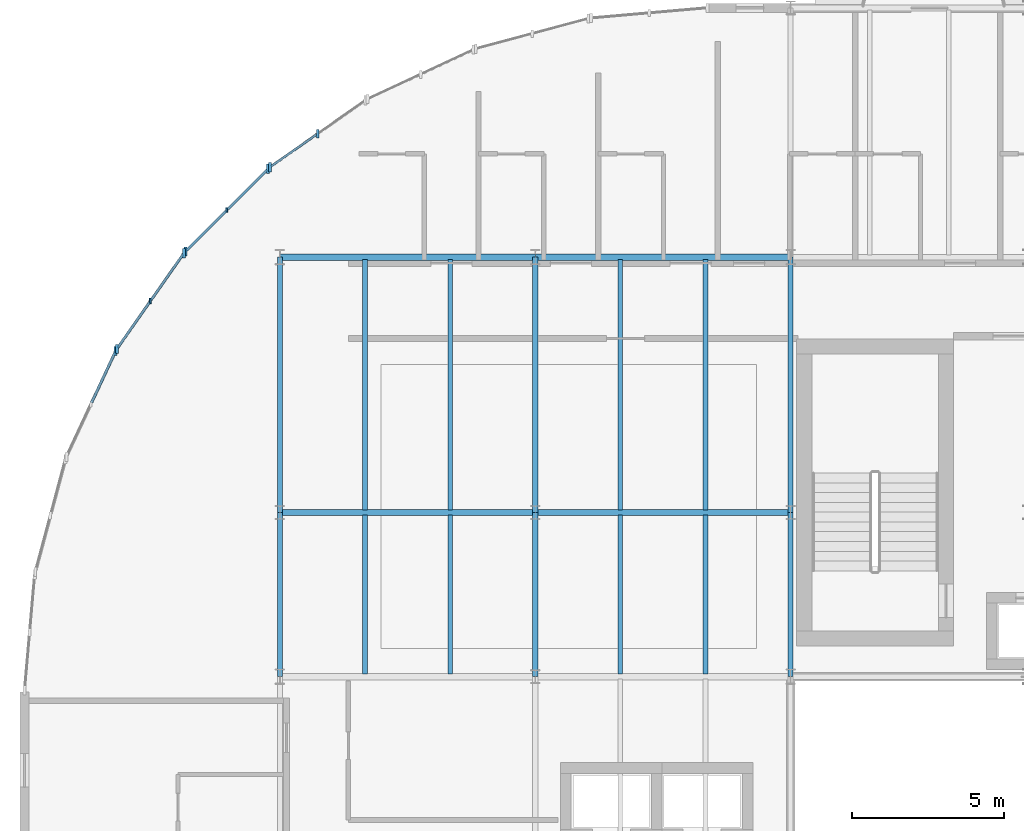
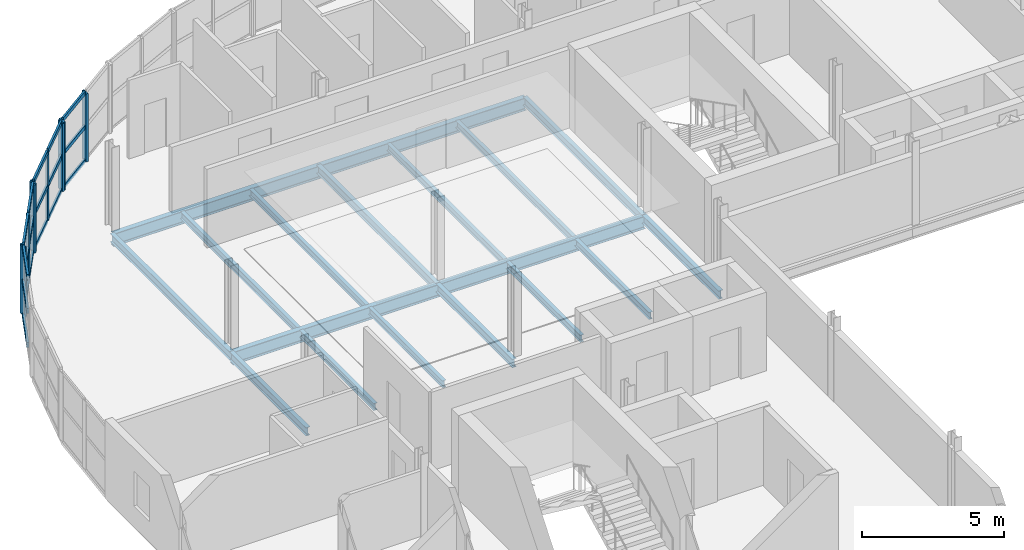
# One storey, part 6 of 30: 27 members, 18 beams, 4 elements without a shape of their own.
"""IFC4 building model written with IfcOpenShell, lengths in metres."""

from ifc_helpers import new_model, si_unit, direction, frame, origin, origin_2d, place, context, subcontext, project, spatial, rectangle, i_section, extrude, material, layer, layer_set, material_profile, profile_set, type_object, element, aggregate, save


model = new_model("IFC4")

# Units and contexts
model_context = context("Model", 3, precision=1e-05, world=origin(), true_north=direction((0.0, 1.0)))
body_context = subcontext(model_context, "Body", "Model", "MODEL_VIEW")
ifc_project = project(units=[si_unit("LENGTHUNIT", "METRE"), si_unit("AREAUNIT", "SQUARE_METRE"), si_unit("VOLUMEUNIT", "CUBIC_METRE"), si_unit("PLANEANGLEUNIT", "RADIAN"), si_unit("MASSUNIT", "GRAM", prefix="KILO")], contexts=[model_context])

# Site, building, storey
site_placement = place(None, origin())
site = spatial("IfcSite", under=ifc_project, at=site_placement, CompositionType="ELEMENT")
building_placement = place(site_placement, origin())
building = spatial("IfcBuilding", under=site, at=building_placement, Name="Sefraquen Railside Congress Hotel", CompositionType="ELEMENT")
storey_placement = place(building_placement, frame((0.0, 0.0, 35.39990234375)))
storey = spatial("IfcBuildingStorey", under=building, at=storey_placement, Name="L08", CompositionType="ELEMENT", Elevation=35.39990234375)

# Beams
ifc_material_1 = material(Name="Steel S355JR", Category="steel")
ifc_material_profile_1 = material_profile(ifc_material_1, i_section(OverallWidth=0.169921875, OverallDepth=0.360107421875, WebThickness=0.008056640625, FlangeThickness=0.0126953125, FilletRadius=0.01806640625, at=origin_2d()), Name="IPE 360")
ifc_profile_set_1 = profile_set([ifc_material_profile_1], Name="Steel S355JR")
beam_type_1 = type_object("IfcBeamType", Name="TB-BM-360", PredefinedType="BEAM", material=ifc_profile_set_1)
beam_1_placement = place(storey_placement, frame((8.39990234375, 96.0, -0.419921875), z_axis=(0.0, 1.0, 0.0), x_axis=(-1.0, 0.0, 0.0)))
element("IfcBeam", 1, at=beam_1_placement, inside=storey, type_object=beam_type_1, Name="Floor beam BM-L08-1898", PredefinedType="BEAM", context=body_context, shape_type="SweptSolid", body=[
    extrude(i_section(OverallWidth=0.169921875, OverallDepth=0.360107421875, WebThickness=0.008056640625, FlangeThickness=0.0126953125, FilletRadius=0.01806640625, at=origin_2d()), origin(), (0.0, 0.0, 1.0), 5.39990234375),
])
beam_2_placement = place(storey_placement, frame((8.39990234375, 101.39990234375, -0.419921875), z_axis=(0.0, 1.0, 0.0), x_axis=(-1.0, 0.0, 0.0)))
element("IfcBeam", 2, at=beam_2_placement, inside=storey, type_object=beam_type_1, Name="Floor beam BM-L08-1899", PredefinedType="BEAM", context=body_context, shape_type="SweptSolid", body=[
    extrude(i_section(OverallWidth=0.169921875, OverallDepth=0.360107421875, WebThickness=0.008056640625, FlangeThickness=0.0126953125, FilletRadius=0.01806640625, at=origin_2d()), origin(), (0.0, 0.0, 1.0), 8.400146484375),
])
beam_3_placement = place(storey_placement, frame((16.800048828125, 96.0, -0.419921875), z_axis=(0.0, 1.0, 0.0), x_axis=(-1.0, 0.0, 0.0)))
element("IfcBeam", 3, at=beam_3_placement, inside=storey, type_object=beam_type_1, Name="Floor beam BM-L08-1904", PredefinedType="BEAM", context=body_context, shape_type="SweptSolid", body=[
    extrude(i_section(OverallWidth=0.169921875, OverallDepth=0.360107421875, WebThickness=0.008056640625, FlangeThickness=0.0126953125, FilletRadius=0.01806640625, at=origin_2d()), origin(), (0.0, 0.0, 1.0), 5.39990234375),
])
beam_4_placement = place(storey_placement, frame((16.800048828125, 101.39990234375, -0.419921875), z_axis=(0.0, 1.0, 0.0), x_axis=(-1.0, 0.0, 0.0)))
element("IfcBeam", 4, at=beam_4_placement, inside=storey, type_object=beam_type_1, Name="Floor beam BM-L08-1905", PredefinedType="BEAM", context=body_context, shape_type="SweptSolid", body=[
    extrude(i_section(OverallWidth=0.169921875, OverallDepth=0.360107421875, WebThickness=0.008056640625, FlangeThickness=0.0126953125, FilletRadius=0.01806640625, at=origin_2d()), origin(), (0.0, 0.0, 1.0), 8.400146484375),
])
beam_5_placement = place(storey_placement, frame((25.199951171875, 96.0, -0.419921875), z_axis=(0.0, 1.0, 0.0), x_axis=(-1.0, 0.0, 0.0)))
element("IfcBeam", 5, at=beam_5_placement, inside=storey, type_object=beam_type_1, Name="Floor beam BM-L08-1910", PredefinedType="BEAM", context=body_context, shape_type="SweptSolid", body=[
    extrude(i_section(OverallWidth=0.169921875, OverallDepth=0.360107421875, WebThickness=0.008056640625, FlangeThickness=0.0126953125, FilletRadius=0.01806640625, at=origin_2d()), origin(), (0.0, 0.0, 1.0), 5.39990234375),
])
beam_6_placement = place(storey_placement, frame((25.199951171875, 101.39990234375, -0.419921875), z_axis=(0.0, 1.0, 0.0), x_axis=(-1.0, 0.0, 0.0)))
element("IfcBeam", 6, at=beam_6_placement, inside=storey, type_object=beam_type_1, Name="Floor beam BM-L08-1911", PredefinedType="BEAM", context=body_context, shape_type="SweptSolid", body=[
    extrude(i_section(OverallWidth=0.169921875, OverallDepth=0.360107421875, WebThickness=0.008056640625, FlangeThickness=0.0126953125, FilletRadius=0.01806640625, at=origin_2d()), origin(), (0.0, 0.0, 1.0), 8.400146484375),
])
ifc_material_profile_2 = material_profile(ifc_material_1, i_section(OverallWidth=0.2099609375, OverallDepth=0.550048828125, WebThickness=0.010986328125, FlangeThickness=0.01708984375, FilletRadius=0.02392578125, at=origin_2d()), Name="IPE 550")
ifc_profile_set_2 = profile_set([ifc_material_profile_2], Name="Steel S355JR")
beam_type_2 = type_object("IfcBeamType", Name="TB-GIR-550", PredefinedType="T_BEAM", material=ifc_profile_set_2)
beam_7_placement = place(storey_placement, frame((8.39990234375, 101.39990234375, -0.514892578125), z_axis=(1.0, 0.0, 0.0), x_axis=(0.0, 1.0, 0.0)))
element("IfcBeam", 7, at=beam_7_placement, inside=storey, type_object=beam_type_2, Name="Primary girder BM-L08-1853", PredefinedType="T_BEAM", context=body_context, shape_type="SweptSolid", body=[
    extrude(i_section(OverallWidth=0.2099609375, OverallDepth=0.550048828125, WebThickness=0.010986328125, FlangeThickness=0.01708984375, FilletRadius=0.02392578125, at=origin_2d()), origin(), (0.0, 0.0, 1.0), 8.400146484375),
])
beam_8_placement = place(storey_placement, frame((16.800048828125, 101.39990234375, -0.514892578125), z_axis=(1.0, 0.0, 0.0), x_axis=(0.0, 1.0, 0.0)))
element("IfcBeam", 8, at=beam_8_placement, inside=storey, type_object=beam_type_2, Name="Primary girder BM-L08-1854", PredefinedType="T_BEAM", context=body_context, shape_type="SweptSolid", body=[
    extrude(i_section(OverallWidth=0.2099609375, OverallDepth=0.550048828125, WebThickness=0.010986328125, FlangeThickness=0.01708984375, FilletRadius=0.02392578125, at=origin_2d()), origin(), (0.0, 0.0, 1.0), 8.39990234375),
])
beam_9_placement = place(storey_placement, frame((8.39990234375, 109.800048828125, -0.514892578125), z_axis=(1.0, 0.0, 0.0), x_axis=(0.0, 1.0, 0.0)))
element("IfcBeam", 9, at=beam_9_placement, inside=storey, type_object=beam_type_2, Name="Primary girder BM-L08-1865", PredefinedType="T_BEAM", context=body_context, shape_type="SweptSolid", body=[
    extrude(i_section(OverallWidth=0.2099609375, OverallDepth=0.550048828125, WebThickness=0.010986328125, FlangeThickness=0.01708984375, FilletRadius=0.02392578125, at=origin_2d()), origin(), (0.0, 0.0, 1.0), 8.400146484375),
])
beam_10_placement = place(storey_placement, frame((16.800048828125, 109.800048828125, -0.514892578125), z_axis=(1.0, 0.0, 0.0), x_axis=(0.0, 1.0, 0.0)))
element("IfcBeam", 10, at=beam_10_placement, inside=storey, type_object=beam_type_2, Name="Primary girder BM-L08-1866", PredefinedType="T_BEAM", context=body_context, shape_type="SweptSolid", body=[
    extrude(i_section(OverallWidth=0.2099609375, OverallDepth=0.550048828125, WebThickness=0.010986328125, FlangeThickness=0.01708984375, FilletRadius=0.02392578125, at=origin_2d()), origin(), (0.0, 0.0, 1.0), 8.39990234375),
])
ifc_material_profile_3 = material_profile(ifc_material_1, i_section(OverallWidth=0.14990234375, OverallDepth=0.300048828125, WebThickness=0.007080078125, FlangeThickness=0.0107421875, FilletRadius=0.014892578125, at=origin_2d()), Name="IPE 300")
ifc_profile_set_3 = profile_set([ifc_material_profile_3], Name="Steel S355JR")
beam_type_3 = type_object("IfcBeamType", Name="TB-JST-300", PredefinedType="JOIST", material=ifc_profile_set_3)
for number, where, z_axis, x_axis, name in (
    (11, (11.199951171875, 96.0849609375, -0.389892578125), (0.0, 1.0, 0.0), (-1.0, 0.0, 0.0), "Composite floor joist BM-L08-J1244"),
    (12, (14.0, 96.0849609375, -0.389892578125), (0.0, 1.0, 0.0), (-1.0, 0.0, 0.0), "Composite floor joist BM-L08-J1245"),
):
    element("IfcBeam", number, at=place(storey_placement, frame(where, z_axis=z_axis, x_axis=x_axis)), inside=storey, type_object=beam_type_3, Name=name, PredefinedType="JOIST", context=body_context, shape_type="SweptSolid", body=[
        extrude(i_section(OverallWidth=0.14990234375, OverallDepth=0.300048828125, WebThickness=0.007080078125, FlangeThickness=0.0107421875, FilletRadius=0.014892578125, at=origin_2d()), origin(), (0.0, 0.0, 1.0), 5.22998046875),
    ])
for number, where, z_axis, x_axis, name in (
    (13, (11.199951171875, 101.485107421875, -0.389892578125), (0.0, 1.0, 0.0), (-1.0, 0.0, 0.0), "Composite floor joist BM-L08-J1246"),
    (14, (14.0, 101.485107421875, -0.389892578125), (0.0, 1.0, 0.0), (-1.0, 0.0, 0.0), "Composite floor joist BM-L08-J1247"),
):
    element("IfcBeam", number, at=place(storey_placement, frame(where, z_axis=z_axis, x_axis=x_axis)), inside=storey, type_object=beam_type_3, Name=name, PredefinedType="JOIST", context=body_context, shape_type="SweptSolid", body=[
        extrude(i_section(OverallWidth=0.14990234375, OverallDepth=0.300048828125, WebThickness=0.007080078125, FlangeThickness=0.0107421875, FilletRadius=0.014892578125, at=origin_2d()), origin(), (0.0, 0.0, 1.0), 8.22998046875),
    ])
for number, where, z_axis, x_axis, name in (
    (15, (19.60009765625, 96.0849609375, -0.389892578125), (0.0, 1.0, 0.0), (-1.0, 0.0, 0.0), "Composite floor joist BM-L08-J1256"),
    (16, (22.39990234375, 96.0849609375, -0.389892578125), (0.0, 1.0, 0.0), (-1.0, 0.0, 0.0), "Composite floor joist BM-L08-J1257"),
):
    element("IfcBeam", number, at=place(storey_placement, frame(where, z_axis=z_axis, x_axis=x_axis)), inside=storey, type_object=beam_type_3, Name=name, PredefinedType="JOIST", context=body_context, shape_type="SweptSolid", body=[
        extrude(i_section(OverallWidth=0.14990234375, OverallDepth=0.300048828125, WebThickness=0.007080078125, FlangeThickness=0.0107421875, FilletRadius=0.014892578125, at=origin_2d()), origin(), (0.0, 0.0, 1.0), 5.22998046875),
    ])
for number, where, z_axis, x_axis, name in (
    (17, (19.60009765625, 101.485107421875, -0.389892578125), (0.0, 1.0, 0.0), (-1.0, 0.0, 0.0), "Composite floor joist BM-L08-J1258"),
    (18, (22.39990234375, 101.485107421875, -0.389892578125), (0.0, 1.0, 0.0), (-1.0, 0.0, 0.0), "Composite floor joist BM-L08-J1259"),
):
    element("IfcBeam", number, at=place(storey_placement, frame(where, z_axis=z_axis, x_axis=x_axis)), inside=storey, type_object=beam_type_3, Name=name, PredefinedType="JOIST", context=body_context, shape_type="SweptSolid", body=[
        extrude(i_section(OverallWidth=0.14990234375, OverallDepth=0.300048828125, WebThickness=0.007080078125, FlangeThickness=0.0107421875, FilletRadius=0.014892578125, at=origin_2d()), origin(), (0.0, 0.0, 1.0), 8.22998046875),
    ])

# Curtain wall, member
ifc_material_2 = material(Name="Thermally broken anodised aluminium and low-E double glazing", Category="aluminium")
ifc_layer_1 = layer(ifc_material_2, 0.199951171875)
ifc_layer_set_1 = layer_set([ifc_layer_1], Name="Thermally broken anodised aluminium and low-E double glazing")
curtain_wall_type_1 = type_object("IfcCurtainWallType", Name="TCW-UCW-13", PredefinedType="USERDEFINED", material=ifc_layer_set_1)
curtain_wall_1_placement = place(storey_placement, origin())
curtain_wall_1 = element("IfcCurtainWall", 19, at=curtain_wall_1_placement, inside=storey, type_object=curtain_wall_type_1, Name="Rotunda L08 curved curtain wall facet 5", ObjectType="UNITISED CURTAIN WALL", PredefinedType="USERDEFINED")
ifc_material_3 = material(Name="Thermally broken anodised aluminium 6063-T6", Category="aluminium")
ifc_material_profile_4 = material_profile(ifc_material_3, rectangle(XDim=0.06005859375, YDim=0.159912109375, at=origin_2d()), Name="CWM 60x160")
ifc_profile_set_4 = profile_set([ifc_material_profile_4], Name="Thermally broken anodised aluminium 6063-T6")
member_type_1 = type_object("IfcMemberType", Name="TM-CWM-01", PredefinedType="MULLION", material=ifc_profile_set_4)
member_1_placement = place(storey_placement, frame((6.650634765625, 111.349365234375, 0.0), z_axis=(0.0, 0.0, 1.0), x_axis=(1.0, 0.0, 0.0)))
member_1 = element("IfcMember", 20, at=member_1_placement, type_object=member_type_1, Name="CW-L08-ROT-05 mullion 2", PredefinedType="MULLION", context=body_context, shape_type="SweptSolid", body=[
    extrude(rectangle(XDim=0.06005859375, YDim=0.159912109375, at=origin_2d()), origin(), (0.0, 0.0, 1.0), 2.93017578125),
])

ifc_layer_2 = layer(ifc_material_2, 0.199951171875)
ifc_layer_set_2 = layer_set([ifc_layer_2], Name="Thermally broken anodised aluminium and low-E double glazing")
curtain_wall_type_2 = type_object("IfcCurtainWallType", Name="TCW-UCW-14", PredefinedType="USERDEFINED", material=ifc_layer_set_2)
curtain_wall_2_placement = place(storey_placement, origin())
curtain_wall_2 = element("IfcCurtainWall", 21, at=curtain_wall_2_placement, inside=storey, type_object=curtain_wall_type_2, Name="Rotunda L08 curved curtain wall facet 6", ObjectType="UNITISED CURTAIN WALL", PredefinedType="USERDEFINED")
ifc_material_profile_5 = material_profile(ifc_material_3, rectangle(XDim=0.06494140625, YDim=0.179931640625, at=origin_2d()), Name="CWM 65x180")
ifc_profile_set_5 = profile_set([ifc_material_profile_5], Name="Thermally broken anodised aluminium 6063-T6")
member_type_2 = type_object("IfcMemberType", Name="TM-CWM-02", PredefinedType="MULLION", material=ifc_profile_set_5)
member_2_placement = place(storey_placement, frame((4.13916015625, 108.356201171875, 0.0), z_axis=(0.0, 0.0, 1.0), x_axis=(1.0, 0.0, 0.0)))
member_2 = element("IfcMember", 22, at=member_2_placement, type_object=member_type_2, Name="CW-L08-ROT-06 mullion 2", PredefinedType="MULLION", context=body_context, shape_type="SweptSolid", body=[
    extrude(rectangle(XDim=0.06494140625, YDim=0.179931640625, at=origin_2d()), origin(), (0.0, 0.0, 1.0), 2.93017578125),
])

# Curtain wall, members
ifc_layer_3 = layer(ifc_material_2, 0.199951171875)
ifc_layer_set_3 = layer_set([ifc_layer_3], Name="Thermally broken anodised aluminium and low-E double glazing")
curtain_wall_type_3 = type_object("IfcCurtainWallType", Name="TCW-UCW-12", PredefinedType="USERDEFINED", material=ifc_layer_set_3)
curtain_wall_3_placement = place(storey_placement, origin())
curtain_wall_3 = element("IfcCurtainWall", 23, at=curtain_wall_3_placement, inside=storey, type_object=curtain_wall_type_3, Name="Rotunda L08 curved curtain wall facet 4", ObjectType="UNITISED CURTAIN WALL", PredefinedType="USERDEFINED")
ifc_material_profile_6 = material_profile(ifc_material_3, rectangle(XDim=0.090087890625, YDim=0.280029296875, at=origin_2d()), Name="CWM 90x280")
ifc_profile_set_6 = profile_set([ifc_material_profile_6], Name="Thermally broken anodised aluminium 6063-T6")
member_type_3 = type_object("IfcMemberType", Name="TM-CWM-07", PredefinedType="MULLION", material=ifc_profile_set_6)
member_3_placement = place(storey_placement, frame((9.643798828125, 113.86083984375, 0.0), z_axis=(0.0, 0.0, 1.0), x_axis=(1.0, 0.0, 0.0)))
member_3 = element("IfcMember", 24, at=member_3_placement, type_object=member_type_3, Name="CW-L08-ROT-04 mullion 2", PredefinedType="MULLION", context=body_context, shape_type="SweptSolid", body=[
    extrude(rectangle(XDim=0.090087890625, YDim=0.280029296875, at=origin_2d()), origin(), (0.0, 0.0, 1.0), 2.93017578125),
])
ifc_material_profile_7 = material_profile(ifc_material_3, rectangle(XDim=0.094970703125, YDim=0.300048828125, at=origin_2d()), Name="CWM 95x300")
ifc_profile_set_7 = profile_set([ifc_material_profile_7], Name="Thermally broken anodised aluminium 6063-T6")
member_type_4 = type_object("IfcMemberType", Name="TM-CWM-08", PredefinedType="MULLION", material=ifc_profile_set_7)
member_4_placement = place(storey_placement, frame((8.070068359375, 112.7587890625, 0.0), z_axis=(0.0, 0.0, 1.0), x_axis=(1.0, 0.0, 0.0)))
member_4 = element("IfcMember", 25, at=member_4_placement, type_object=member_type_4, Name="CW-L08-ROT-04 mullion 3", PredefinedType="MULLION", context=body_context, shape_type="SweptSolid", body=[
    extrude(rectangle(XDim=0.094970703125, YDim=0.300048828125, at=origin_2d()), origin(), (0.0, 0.0, 1.0), 2.93017578125),
])

# Member
member_5_placement = place(storey_placement, frame((8.009033203125, 112.707763671875, 0.0), z_axis=(0.0, 0.0, 1.0), x_axis=(1.0, 0.0, 0.0)))
member_5 = element("IfcMember", 26, at=member_5_placement, type_object=member_type_4, Name="CW-L08-ROT-05 mullion 1", PredefinedType="MULLION", context=body_context, shape_type="SweptSolid", body=[
    extrude(rectangle(XDim=0.094970703125, YDim=0.300048828125, at=origin_2d()), origin(), (0.0, 0.0, 1.0), 2.93017578125),
])

member_6_placement = place(storey_placement, frame((5.292236328125, 109.990966796875, 0.0), z_axis=(0.0, 0.0, 1.0), x_axis=(1.0, 0.0, 0.0)))
member_6 = element("IfcMember", 27, at=member_6_placement, type_object=member_type_4, Name="CW-L08-ROT-05 mullion 3", PredefinedType="MULLION", context=body_context, shape_type="SweptSolid", body=[
    extrude(rectangle(XDim=0.094970703125, YDim=0.300048828125, at=origin_2d()), origin(), (0.0, 0.0, 1.0), 2.93017578125),
])

member_7_placement = place(storey_placement, frame((5.2412109375, 109.929931640625, 0.0), z_axis=(0.0, 0.0, 1.0), x_axis=(1.0, 0.0, 0.0)))
member_7 = element("IfcMember", 28, at=member_7_placement, type_object=member_type_4, Name="CW-L08-ROT-06 mullion 1", PredefinedType="MULLION", context=body_context, shape_type="SweptSolid", body=[
    extrude(rectangle(XDim=0.094970703125, YDim=0.300048828125, at=origin_2d()), origin(), (0.0, 0.0, 1.0), 2.93017578125),
])

member_8_placement = place(storey_placement, frame((3.037353515625, 106.78271484375, 0.0), z_axis=(0.0, 0.0, 1.0), x_axis=(1.0, 0.0, 0.0)))
member_8 = element("IfcMember", 29, at=member_8_placement, type_object=member_type_4, Name="CW-L08-ROT-06 mullion 3", PredefinedType="MULLION", context=body_context, shape_type="SweptSolid", body=[
    extrude(rectangle(XDim=0.094970703125, YDim=0.300048828125, at=origin_2d()), origin(), (0.0, 0.0, 1.0), 2.93017578125),
])

# Curtain wall, member
ifc_layer_4 = layer(ifc_material_2, 0.199951171875)
ifc_layer_set_4 = layer_set([ifc_layer_4], Name="Thermally broken anodised aluminium and low-E double glazing")
curtain_wall_type_4 = type_object("IfcCurtainWallType", Name="TCW-UCW-15", PredefinedType="USERDEFINED", material=ifc_layer_set_4)
curtain_wall_4_placement = place(storey_placement, origin())
curtain_wall_4 = element("IfcCurtainWall", 30, at=curtain_wall_4_placement, inside=storey, type_object=curtain_wall_type_4, Name="Rotunda L08 curved curtain wall facet 7", ObjectType="UNITISED CURTAIN WALL", PredefinedType="USERDEFINED")
member_9_placement = place(storey_placement, frame((2.99755859375, 106.713623046875, 0.0), z_axis=(0.0, 0.0, 1.0), x_axis=(1.0, 0.0, 0.0)))
member_9 = element("IfcMember", 31, at=member_9_placement, type_object=member_type_4, Name="CW-L08-ROT-07 mullion 1", PredefinedType="MULLION", context=body_context, shape_type="SweptSolid", body=[
    extrude(rectangle(XDim=0.094970703125, YDim=0.300048828125, at=origin_2d()), origin(), (0.0, 0.0, 1.0), 2.93017578125),
])

# Member
ifc_material_profile_8 = material_profile(ifc_material_3, rectangle(XDim=0.074951171875, YDim=0.1650390625, at=origin_2d()), Name="CWT 75x165")
ifc_profile_set_8 = profile_set([ifc_material_profile_8], Name="Thermally broken anodised aluminium 6063-T6")
member_type_5 = type_object("IfcMemberType", Name="TM-CWT-04", PredefinedType="USERDEFINED", material=ifc_profile_set_8)
member_10_placement = place(storey_placement, frame((9.606689453125, 113.8349609375, 0.0), z_axis=(-0.819175533227, -0.573542889209, 0.0), x_axis=(0.573542889209, -0.819175533227, 0.0)))
member_10 = element("IfcMember", 32, at=member_10_placement, type_object=member_type_5, Name="CW-L08-ROT-04 transom 1.2", ObjectType="TRANSOM", PredefinedType="USERDEFINED", context=body_context, shape_type="SweptSolid", body=[
    extrude(rectangle(XDim=0.074951171875, YDim=0.1650390625, at=origin_2d()), origin(), (0.0, 0.0, 1.0), 1.830810546875),
])

member_11_placement = place(storey_placement, frame((9.606689453125, 113.8349609375, 1.465087890625), z_axis=(-0.819175533227, -0.573542889209, 0.0), x_axis=(0.573542889209, -0.819175533227, 0.0)))
member_11 = element("IfcMember", 33, at=member_11_placement, type_object=member_type_5, Name="CW-L08-ROT-04 transom 2.2", ObjectType="TRANSOM", PredefinedType="USERDEFINED", context=body_context, shape_type="SweptSolid", body=[
    extrude(rectangle(XDim=0.074951171875, YDim=0.1650390625, at=origin_2d()), origin(), (0.0, 0.0, 1.0), 1.830810546875),
])

member_12_placement = place(storey_placement, frame((9.606689453125, 113.8349609375, 2.93017578125), z_axis=(-0.819175533227, -0.573542889209, 0.0), x_axis=(0.573542889209, -0.819175533227, 0.0)))
member_12 = element("IfcMember", 34, at=member_12_placement, type_object=member_type_5, Name="CW-L08-ROT-04 transom 3.2", ObjectType="TRANSOM", PredefinedType="USERDEFINED", context=body_context, shape_type="SweptSolid", body=[
    extrude(rectangle(XDim=0.074951171875, YDim=0.1650390625, at=origin_2d()), origin(), (0.0, 0.0, 1.0), 1.830810546875),
])

aggregate(curtain_wall_3, [member_3, member_4, member_10, member_11, member_12])

ifc_material_profile_9 = material_profile(ifc_material_3, rectangle(XDim=0.080078125, YDim=0.179931640625, at=origin_2d()), Name="CWT 80x180")
ifc_profile_set_9 = profile_set([ifc_material_profile_9], Name="Thermally broken anodised aluminium 6063-T6")
member_type_6 = type_object("IfcMemberType", Name="TM-CWT-05", PredefinedType="USERDEFINED", material=ifc_profile_set_9)
member_13_placement = place(storey_placement, frame((7.977294921875, 112.67578125, 0.0), z_axis=(-0.707106781187, -0.707106781187, 0.0), x_axis=(0.707106781187, -0.707106781187, 0.0)))
member_13 = element("IfcMember", 35, at=member_13_placement, type_object=member_type_6, Name="CW-L08-ROT-05 transom 1.1", ObjectType="TRANSOM", PredefinedType="USERDEFINED", context=body_context, shape_type="SweptSolid", body=[
    extrude(rectangle(XDim=0.080078125, YDim=0.179931640625, at=origin_2d()), origin(), (0.0, 0.0, 1.0), 1.8310546875),
])

member_14_placement = place(storey_placement, frame((6.618896484375, 111.3173828125, 0.0), z_axis=(-0.707106781187, -0.707106781187, 0.0), x_axis=(0.707106781187, -0.707106781187, 0.0)))
member_14 = element("IfcMember", 36, at=member_14_placement, type_object=member_type_6, Name="CW-L08-ROT-05 transom 1.2", ObjectType="TRANSOM", PredefinedType="USERDEFINED", context=body_context, shape_type="SweptSolid", body=[
    extrude(rectangle(XDim=0.080078125, YDim=0.179931640625, at=origin_2d()), origin(), (0.0, 0.0, 1.0), 1.8310546875),
])

member_15_placement = place(storey_placement, frame((7.977294921875, 112.67578125, 1.465087890625), z_axis=(-0.707106781187, -0.707106781187, 0.0), x_axis=(0.707106781187, -0.707106781187, 0.0)))
member_15 = element("IfcMember", 37, at=member_15_placement, type_object=member_type_6, Name="CW-L08-ROT-05 transom 2.1", ObjectType="TRANSOM", PredefinedType="USERDEFINED", context=body_context, shape_type="SweptSolid", body=[
    extrude(rectangle(XDim=0.080078125, YDim=0.179931640625, at=origin_2d()), origin(), (0.0, 0.0, 1.0), 1.8310546875),
])

member_16_placement = place(storey_placement, frame((6.618896484375, 111.3173828125, 1.465087890625), z_axis=(-0.707106781187, -0.707106781187, 0.0), x_axis=(0.707106781187, -0.707106781187, 0.0)))
member_16 = element("IfcMember", 38, at=member_16_placement, type_object=member_type_6, Name="CW-L08-ROT-05 transom 2.2", ObjectType="TRANSOM", PredefinedType="USERDEFINED", context=body_context, shape_type="SweptSolid", body=[
    extrude(rectangle(XDim=0.080078125, YDim=0.179931640625, at=origin_2d()), origin(), (0.0, 0.0, 1.0), 1.8310546875),
])

member_17_placement = place(storey_placement, frame((7.977294921875, 112.67578125, 2.93017578125), z_axis=(-0.707106781187, -0.707106781187, 0.0), x_axis=(0.707106781187, -0.707106781187, 0.0)))
member_17 = element("IfcMember", 39, at=member_17_placement, type_object=member_type_6, Name="CW-L08-ROT-05 transom 3.1", ObjectType="TRANSOM", PredefinedType="USERDEFINED", context=body_context, shape_type="SweptSolid", body=[
    extrude(rectangle(XDim=0.080078125, YDim=0.179931640625, at=origin_2d()), origin(), (0.0, 0.0, 1.0), 1.8310546875),
])

member_18_placement = place(storey_placement, frame((6.618896484375, 111.3173828125, 2.93017578125), z_axis=(-0.707106781187, -0.707106781187, 0.0), x_axis=(0.707106781187, -0.707106781187, 0.0)))
member_18 = element("IfcMember", 40, at=member_18_placement, type_object=member_type_6, Name="CW-L08-ROT-05 transom 3.2", ObjectType="TRANSOM", PredefinedType="USERDEFINED", context=body_context, shape_type="SweptSolid", body=[
    extrude(rectangle(XDim=0.080078125, YDim=0.179931640625, at=origin_2d()), origin(), (0.0, 0.0, 1.0), 1.8310546875),
])

aggregate(curtain_wall_1, [member_5, member_1, member_6, member_13, member_14, member_15, member_16, member_17, member_18])

ifc_material_profile_10 = material_profile(ifc_material_3, rectangle(XDim=0.0849609375, YDim=0.195068359375, at=origin_2d()), Name="CWT 85x195")
ifc_profile_set_10 = profile_set([ifc_material_profile_10], Name="Thermally broken anodised aluminium 6063-T6")
member_type_7 = type_object("IfcMemberType", Name="TM-CWT-06", PredefinedType="USERDEFINED", material=ifc_profile_set_10)
member_19_placement = place(storey_placement, frame((5.21533203125, 109.89306640625, 0.0), z_axis=(-0.573632363976, -0.819112880499, 0.0), x_axis=(0.819112880499, -0.573632363976, 0.0)))
member_19 = element("IfcMember", 41, at=member_19_placement, type_object=member_type_7, Name="CW-L08-ROT-06 transom 1.1", ObjectType="TRANSOM", PredefinedType="USERDEFINED", context=body_context, shape_type="SweptSolid", body=[
    extrude(rectangle(XDim=0.0849609375, YDim=0.195068359375, at=origin_2d()), origin(), (0.0, 0.0, 1.0), 1.8310546875),
])

member_20_placement = place(storey_placement, frame((4.11328125, 108.319580078125, 0.0), z_axis=(-0.573480241742, -0.819219392063, 0.0), x_axis=(0.819219392063, -0.573480241742, 0.0)))
member_20 = element("IfcMember", 42, at=member_20_placement, type_object=member_type_7, Name="CW-L08-ROT-06 transom 1.2", ObjectType="TRANSOM", PredefinedType="USERDEFINED", context=body_context, shape_type="SweptSolid", body=[
    extrude(rectangle(XDim=0.0849609375, YDim=0.195068359375, at=origin_2d()), origin(), (0.0, 0.0, 1.0), 1.8310546875),
])

member_21_placement = place(storey_placement, frame((5.21533203125, 109.89306640625, 1.465087890625), z_axis=(-0.573632363976, -0.819112880499, 0.0), x_axis=(0.819112880499, -0.573632363976, 0.0)))
member_21 = element("IfcMember", 43, at=member_21_placement, type_object=member_type_7, Name="CW-L08-ROT-06 transom 2.1", ObjectType="TRANSOM", PredefinedType="USERDEFINED", context=body_context, shape_type="SweptSolid", body=[
    extrude(rectangle(XDim=0.0849609375, YDim=0.195068359375, at=origin_2d()), origin(), (0.0, 0.0, 1.0), 1.8310546875),
])

member_22_placement = place(storey_placement, frame((4.11328125, 108.319580078125, 1.465087890625), z_axis=(-0.573480241742, -0.819219392063, 0.0), x_axis=(0.819219392063, -0.573480241742, 0.0)))
member_22 = element("IfcMember", 44, at=member_22_placement, type_object=member_type_7, Name="CW-L08-ROT-06 transom 2.2", ObjectType="TRANSOM", PredefinedType="USERDEFINED", context=body_context, shape_type="SweptSolid", body=[
    extrude(rectangle(XDim=0.0849609375, YDim=0.195068359375, at=origin_2d()), origin(), (0.0, 0.0, 1.0), 1.8310546875),
])

member_23_placement = place(storey_placement, frame((5.21533203125, 109.89306640625, 2.93017578125), z_axis=(-0.573632363976, -0.819112880499, 0.0), x_axis=(0.819112880499, -0.573632363976, 0.0)))
member_23 = element("IfcMember", 45, at=member_23_placement, type_object=member_type_7, Name="CW-L08-ROT-06 transom 3.1", ObjectType="TRANSOM", PredefinedType="USERDEFINED", context=body_context, shape_type="SweptSolid", body=[
    extrude(rectangle(XDim=0.0849609375, YDim=0.195068359375, at=origin_2d()), origin(), (0.0, 0.0, 1.0), 1.8310546875),
])

member_24_placement = place(storey_placement, frame((4.11328125, 108.319580078125, 2.93017578125), z_axis=(-0.573480241742, -0.819219392063, 0.0), x_axis=(0.819219392063, -0.573480241742, 0.0)))
member_24 = element("IfcMember", 46, at=member_24_placement, type_object=member_type_7, Name="CW-L08-ROT-06 transom 3.2", ObjectType="TRANSOM", PredefinedType="USERDEFINED", context=body_context, shape_type="SweptSolid", body=[
    extrude(rectangle(XDim=0.0849609375, YDim=0.195068359375, at=origin_2d()), origin(), (0.0, 0.0, 1.0), 1.8310546875),
])

aggregate(curtain_wall_2, [member_7, member_2, member_8, member_19, member_20, member_21, member_22, member_23, member_24])

ifc_material_profile_11 = material_profile(ifc_material_3, rectangle(XDim=0.090087890625, YDim=0.2099609375, at=origin_2d()), Name="CWT 90x210")
ifc_profile_set_11 = profile_set([ifc_material_profile_11], Name="Thermally broken anodised aluminium 6063-T6")
member_type_8 = type_object("IfcMemberType", Name="TM-CWT-07", PredefinedType="USERDEFINED", material=ifc_profile_set_11)
member_25_placement = place(storey_placement, frame((2.978515625, 106.6728515625, 0.0), z_axis=(-0.422673771403, -0.906281900386, 0.0), x_axis=(0.906281900386, -0.422673771403, 0.0)))
member_25 = element("IfcMember", 47, at=member_25_placement, type_object=member_type_8, Name="CW-L08-ROT-07 transom 1.1", ObjectType="TRANSOM", PredefinedType="USERDEFINED", context=body_context, shape_type="SweptSolid", body=[
    extrude(rectangle(XDim=0.090087890625, YDim=0.2099609375, at=origin_2d()), origin(), (0.0, 0.0, 1.0), 1.8310546875),
])

member_26_placement = place(storey_placement, frame((2.978515625, 106.6728515625, 1.465087890625), z_axis=(-0.422673771403, -0.906281900386, 0.0), x_axis=(0.906281900386, -0.422673771403, 0.0)))
member_26 = element("IfcMember", 48, at=member_26_placement, type_object=member_type_8, Name="CW-L08-ROT-07 transom 2.1", ObjectType="TRANSOM", PredefinedType="USERDEFINED", context=body_context, shape_type="SweptSolid", body=[
    extrude(rectangle(XDim=0.090087890625, YDim=0.2099609375, at=origin_2d()), origin(), (0.0, 0.0, 1.0), 1.8310546875),
])

member_27_placement = place(storey_placement, frame((2.978515625, 106.6728515625, 2.93017578125), z_axis=(-0.422673771403, -0.906281900386, 0.0), x_axis=(0.906281900386, -0.422673771403, 0.0)))
member_27 = element("IfcMember", 49, at=member_27_placement, type_object=member_type_8, Name="CW-L08-ROT-07 transom 3.1", ObjectType="TRANSOM", PredefinedType="USERDEFINED", context=body_context, shape_type="SweptSolid", body=[
    extrude(rectangle(XDim=0.090087890625, YDim=0.2099609375, at=origin_2d()), origin(), (0.0, 0.0, 1.0), 1.8310546875),
])

aggregate(curtain_wall_4, [member_9, member_25, member_26, member_27])

save(model, "model.ifc")
